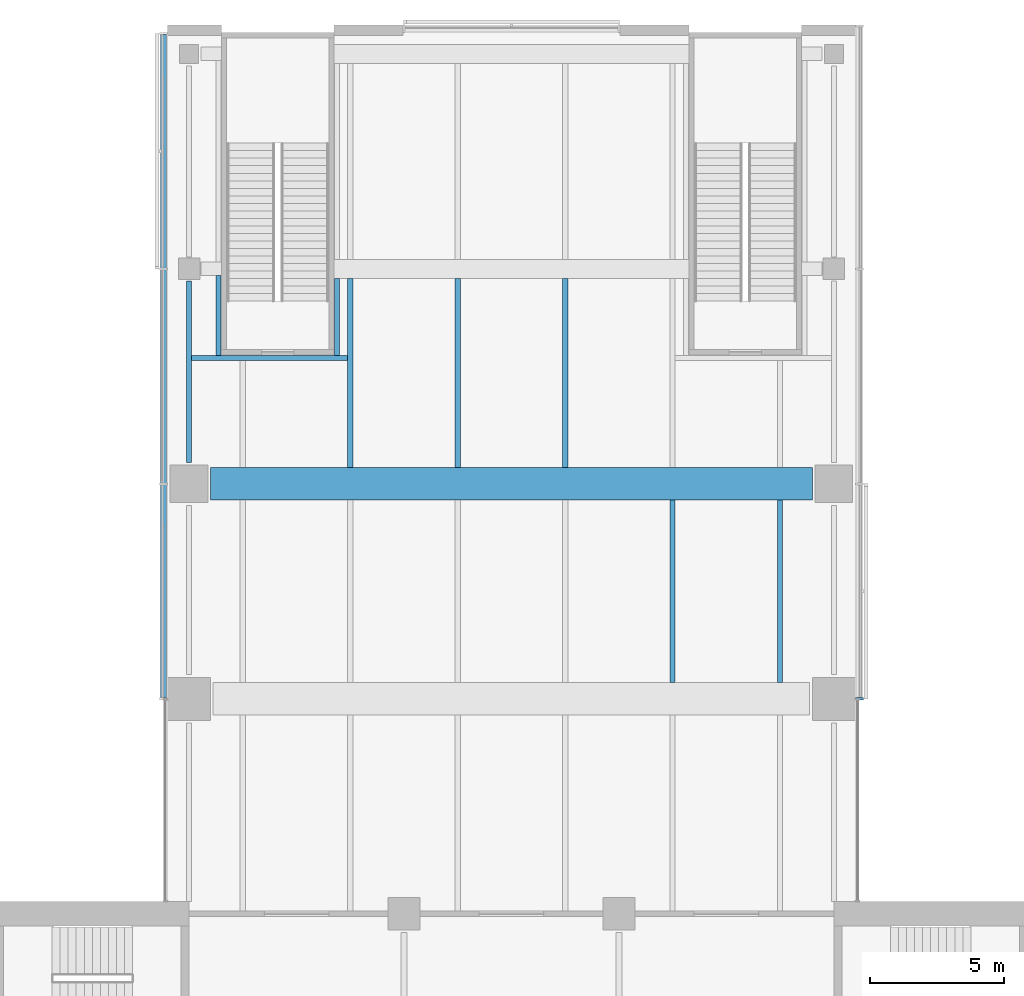
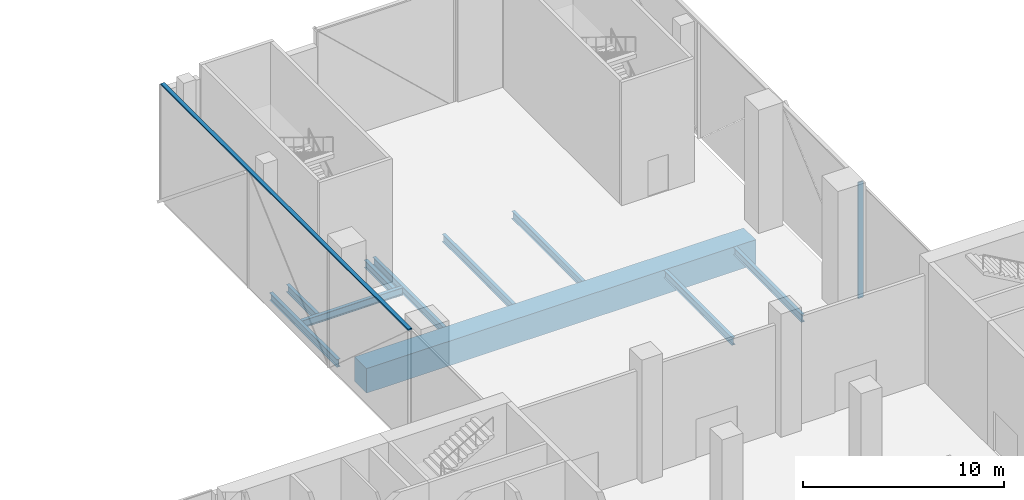
# One storey, part 9 of 25: 10 beams, 2 members, 2 elements without a shape of their own.
"""IFC4 building model written with IfcOpenShell, lengths in metres."""

from ifc_helpers import new_model, si_unit, direction, frame, origin, origin_2d, place, context, subcontext, project, spatial, rectangle, i_section, extrude, material, material_profile, profile_set, type_object, element, aggregate, save


model = new_model("IFC4")

# Units and contexts
model_context = context("Model", 3, precision=1e-05, world=origin(), true_north=direction((0.0, 1.0)))
body_context = subcontext(model_context, "Body", "Model", "MODEL_VIEW")
ifc_project = project(units=[si_unit("LENGTHUNIT", "METRE"), si_unit("AREAUNIT", "SQUARE_METRE"), si_unit("VOLUMEUNIT", "CUBIC_METRE"), si_unit("PLANEANGLEUNIT", "RADIAN"), si_unit("MASSUNIT", "GRAM", prefix="KILO")], contexts=[model_context])

# Site, building, storey
site_placement = place(None, origin())
site = spatial("IfcSite", under=ifc_project, at=site_placement, CompositionType="ELEMENT")
building_placement = place(site_placement, origin())
building = spatial("IfcBuilding", under=site, at=building_placement, Name="Crosswind Convention Tower", CompositionType="ELEMENT")
storey_placement = place(building_placement, frame((0.0, 0.0, 10.0)))
storey = spatial("IfcBuildingStorey", under=building, at=storey_placement, Name="L01", CompositionType="ELEMENT", Elevation=10.0)

# Beam
ifc_material_1 = material(Name="Steel S355", Category="steel")
ifc_material_profile_1 = material_profile(ifc_material_1, i_section(OverallWidth=0.19287109375, OverallDepth=0.467529296875, WebThickness=0.011474609375, FlangeThickness=0.01953125, FilletRadius=0.01025390625, at=origin_2d()), Name="UB 457x191x98")
ifc_profile_set_1 = profile_set([ifc_material_profile_1], Name="Steel S355")
beam_type_1 = type_object("IfcBeamType", Name="Edge beam UB 457x191x98", PredefinedType="SPANDREL", material=ifc_profile_set_1)
beam_1_placement = place(storey_placement, frame((113.0, 128.800048828125, -0.6337890625), z_axis=(0.0, 1.0, 0.0), x_axis=(-1.0, 0.0, 0.0)))
element("IfcBeam", 1, at=beam_1_placement, inside=storey, type_object=beam_type_1, Name="B20 L01 edge beam 11", PredefinedType="SPANDREL", context=body_context, shape_type="SweptSolid", body=[
    extrude(i_section(OverallWidth=0.19287109375, OverallDepth=0.467529296875, WebThickness=0.011474609375, FlangeThickness=0.01953125, FilletRadius=0.01025390625, at=origin_2d()), origin(), (0.0, 0.0, 1.0), 6.75),
])

# Curtain wall, member
ifc_material_2 = material(Name="Aluminium unitised curtain wall", Category="aluminium")
curtain_wall_type = type_object("IfcCurtainWallType", Name="PODIUM UNITISED WALL 300", PredefinedType="USERDEFINED", material=ifc_material_2)
curtain_wall_1_placement = place(storey_placement, origin())
curtain_wall_1 = element("IfcCurtainWall", 2, at=curtain_wall_1_placement, inside=storey, type_object=curtain_wall_type, Name="CW1 L01 N-E 1", ObjectType="UNITISED", PredefinedType="USERDEFINED")
ifc_material_3 = material(Name="Aluminium mullion", Category="aluminium")
ifc_material_profile_2 = material_profile(ifc_material_3, rectangle(XDim=0.300048828125, YDim=0.080078125, at=origin_2d()), Name="AL 300X80")
ifc_profile_set_2 = profile_set([ifc_material_profile_2], Name="Aluminium mullion")
member_type_1 = type_object("IfcMemberType", Name="MULLION 80X300", PredefinedType="MULLION", material=ifc_profile_set_2)
member_1_placement = place(storey_placement, frame((137.949951171875, 120.0, -0.044921875), z_axis=(0.0, 0.0, 1.0), x_axis=(1.0, 0.0, 0.0)))
member_1 = element("IfcMember", 3, at=member_1_placement, type_object=member_type_1, Name="CW1 mullion 1", PredefinedType="MULLION", context=body_context, shape_type="SweptSolid", body=[
    extrude(rectangle(XDim=0.300048828125, YDim=0.080078125, at=origin_2d()), origin(), (0.0, 0.0, 1.0), 7.06494140625),
])
aggregate(curtain_wall_1, [member_1])

# Beams
ifc_material_4 = material(Name="Concrete C70/85", Category="concrete")
ifc_material_profile_3 = material_profile(ifc_material_4, rectangle(XDim=1.199951171875, YDim=1.5, at=origin_2d()), Name="RC 1200X1500")
ifc_profile_set_3 = profile_set([ifc_material_profile_3], Name="Concrete C70/85")
beam_type_2 = type_object("IfcBeamType", Name="Prestressed concrete girder RC 1200X1500", PredefinedType="BEAM", material=ifc_profile_set_3)
beam_2_placement = place(storey_placement, frame((113.800048828125, 128.0, -1.14990234375), z_axis=(1.0, 0.0, 0.0), x_axis=(0.0, 1.0, 0.0)))
element("IfcBeam", 4, at=beam_2_placement, inside=storey, type_object=beam_type_2, Name="B39 L01 prestressed concrete girder 2", PredefinedType="BEAM", context=body_context, shape_type="SweptSolid", body=[
    extrude(rectangle(XDim=1.199951171875, YDim=1.5, at=origin_2d()), origin(), (0.0, 0.0, 1.0), 22.39990234375),
])
ifc_material_profile_4 = material_profile(ifc_material_1, i_section(OverallWidth=0.19140625, OverallDepth=0.460205078125, WebThickness=0.010009765625, FlangeThickness=0.01611328125, FilletRadius=0.01025390625, at=origin_2d()), Name="UB 457x191x82")
ifc_profile_set_4 = profile_set([ifc_material_profile_4], Name="Steel S355")
beam_type_3 = type_object("IfcBeamType", Name="Secondary beam UB 457x191x82", PredefinedType="JOIST", material=ifc_profile_set_4)
for number, where, z_axis, x_axis, name in (
    (5, (119.0, 128.60009765625, -0.630126953125), (0.0, 1.0, 0.0), (-1.0, 0.0, 0.0), "B13 L01 secondary beam 26"),
    (6, (123.0, 128.60009765625, -0.630126953125), (0.0, 1.0, 0.0), (-1.0, 0.0, 0.0), "B13 L01 secondary beam 37"),
    (7, (127.0, 128.60009765625, -0.630126953125), (0.0, 1.0, 0.0), (-1.0, 0.0, 0.0), "B13 L01 secondary beam 45"),
):
    element("IfcBeam", number, at=place(storey_placement, frame(where, z_axis=z_axis, x_axis=x_axis)), inside=storey, type_object=beam_type_3, Name=name, PredefinedType="JOIST", context=body_context, shape_type="SweptSolid", body=[
        extrude(i_section(OverallWidth=0.19140625, OverallDepth=0.460205078125, WebThickness=0.010009765625, FlangeThickness=0.01611328125, FilletRadius=0.01025390625, at=origin_2d()), origin(), (0.0, 0.0, 1.0), 7.0498046875),
    ])
for number, where, z_axis, x_axis, name in (
    (8, (131.0, 120.60009765625, -0.630126953125), (0.0, 1.0, 0.0), (-1.0, 0.0, 0.0), "B13 L01 secondary beam 55"),
    (9, (135.0, 120.60009765625, -0.630126953125), (0.0, 1.0, 0.0), (-1.0, 0.0, 0.0), "B13 L01 secondary beam 62"),
):
    element("IfcBeam", number, at=place(storey_placement, frame(where, z_axis=z_axis, x_axis=x_axis)), inside=storey, type_object=beam_type_3, Name=name, PredefinedType="JOIST", context=body_context, shape_type="SweptSolid", body=[
        extrude(i_section(OverallWidth=0.19140625, OverallDepth=0.460205078125, WebThickness=0.010009765625, FlangeThickness=0.01611328125, FilletRadius=0.01025390625, at=origin_2d()), origin(), (0.0, 0.0, 1.0), 6.7998046875),
    ])

# Curtain wall, member
curtain_wall_2_placement = place(storey_placement, origin())
curtain_wall_2 = element("IfcCurtainWall", 10, at=curtain_wall_2_placement, inside=storey, type_object=curtain_wall_type, Name="CW1 L01 N-W 1", ObjectType="UNITISED", PredefinedType="USERDEFINED")
ifc_material_5 = material(Name="Aluminium transom", Category="aluminium")
ifc_material_profile_5 = material_profile(ifc_material_5, rectangle(XDim=0.219970703125, YDim=0.080078125, at=origin_2d()), Name="AL 220X80")
ifc_profile_set_5 = profile_set([ifc_material_profile_5], Name="Aluminium transom")
member_type_2 = type_object("IfcMemberType", Name="TRANSOM 80X220", PredefinedType="USERDEFINED", material=ifc_profile_set_5)
member_2_placement = place(storey_placement, frame((112.050048828125, 144.719970703125, 7.06005859375), z_axis=(0.0, -1.0, 0.0), x_axis=(1.0, 0.0, 0.0)))
member_2 = element("IfcMember", 11, at=member_2_placement, type_object=member_type_2, Name="CW1 transom", ObjectType="TRANSOM", PredefinedType="USERDEFINED", context=body_context, shape_type="SweptSolid", body=[
    extrude(rectangle(XDim=0.219970703125, YDim=0.080078125, at=origin_2d()), origin(), (0.0, 0.0, 1.0), 24.679931640625),
])
aggregate(curtain_wall_2, [member_2])

# Beams
ifc_material_profile_6 = material_profile(ifc_material_1, i_section(OverallWidth=0.19189453125, OverallDepth=0.463623046875, WebThickness=0.010498046875, FlangeThickness=0.017578125, FilletRadius=0.01025390625, at=origin_2d()), Name="UB 457x191x90")
ifc_profile_set_6 = profile_set([ifc_material_profile_6], Name="Steel S355")
beam_type_4 = type_object("IfcBeamType", Name="Trimmer beam UB 457x191x90", PredefinedType="BEAM", material=ifc_profile_set_6)
beam_3_placement = place(storey_placement, frame((113.096435546875, 132.68994140625, -0.6318359375), z_axis=(1.0, 0.0, 0.0), x_axis=(0.0, 1.0, 0.0)))
element("IfcBeam", 12, at=beam_3_placement, inside=storey, type_object=beam_type_4, Name="B33 L01 trimmer beam 12", PredefinedType="BEAM", context=body_context, shape_type="SweptSolid", body=[
    extrude(i_section(OverallWidth=0.19189453125, OverallDepth=0.463623046875, WebThickness=0.010498046875, FlangeThickness=0.017578125, FilletRadius=0.01025390625, at=origin_2d()), origin(), (0.0, 0.0, 1.0), 5.807861328125),
])
beam_4_placement = place(storey_placement, frame((114.090087890625, 132.785888671875, -0.6318359375), z_axis=(0.0, 1.0, 0.0), x_axis=(-1.0, 0.0, 0.0)))
element("IfcBeam", 13, at=beam_4_placement, inside=storey, type_object=beam_type_4, Name="B33 L01 trimmer beam 15", PredefinedType="BEAM", context=body_context, shape_type="SweptSolid", body=[
    extrude(i_section(OverallWidth=0.19189453125, OverallDepth=0.463623046875, WebThickness=0.010498046875, FlangeThickness=0.017578125, FilletRadius=0.01025390625, at=origin_2d()), origin(), (0.0, 0.0, 1.0), 2.964111328125),
])
beam_5_placement = place(storey_placement, frame((118.510009765625, 132.785888671875, -0.6318359375), z_axis=(0.0, 1.0, 0.0), x_axis=(-1.0, 0.0, 0.0)))
element("IfcBeam", 14, at=beam_5_placement, inside=storey, type_object=beam_type_4, Name="B33 L01 trimmer beam 19", PredefinedType="BEAM", context=body_context, shape_type="SweptSolid", body=[
    extrude(i_section(OverallWidth=0.19189453125, OverallDepth=0.463623046875, WebThickness=0.010498046875, FlangeThickness=0.017578125, FilletRadius=0.01025390625, at=origin_2d()), origin(), (0.0, 0.0, 1.0), 2.864013671875),
])

save(model, "model.ifc")
